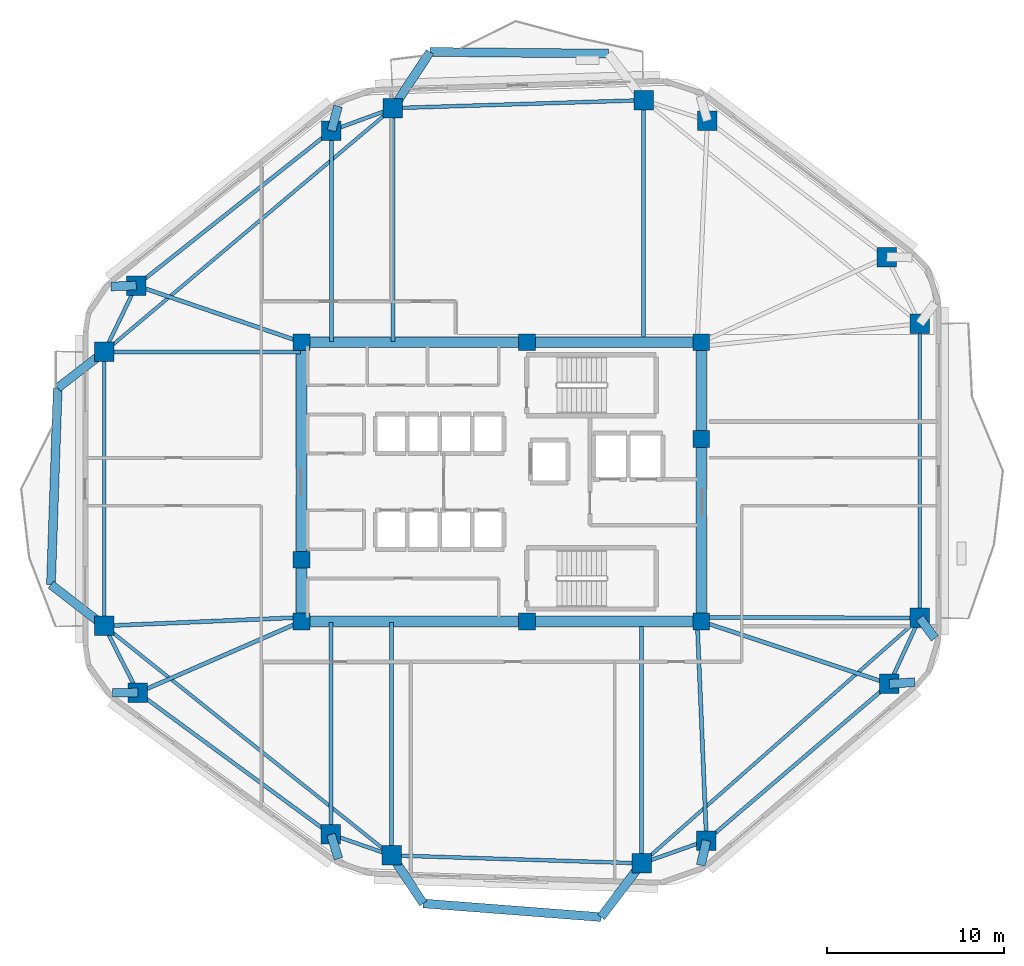
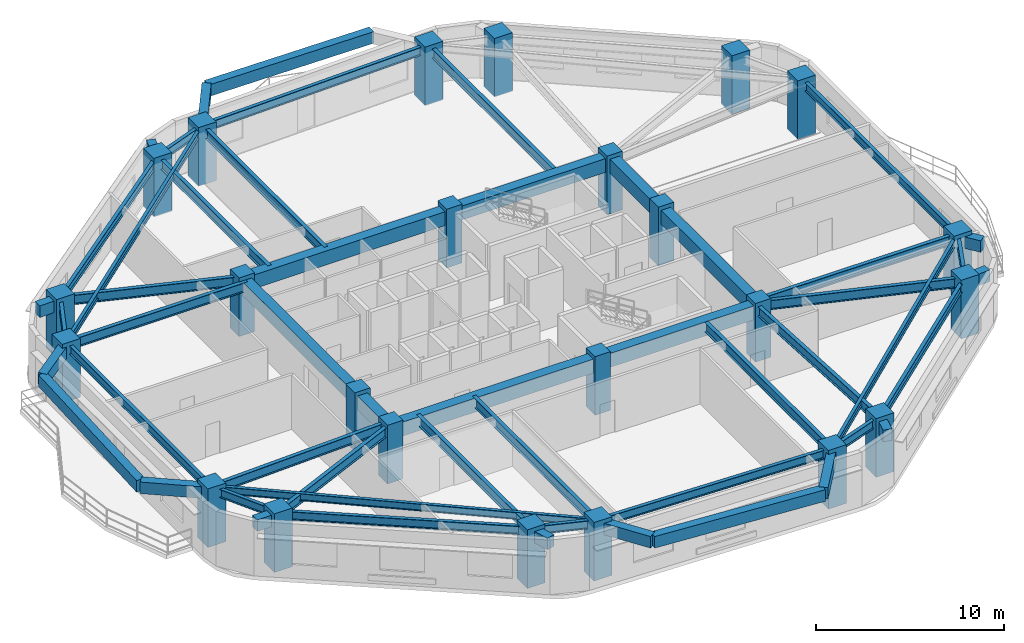
# One storey, part 1 of 8: 52 beams, 24 columns.
"""IFC4 building model written with IfcOpenShell, lengths in metres."""

import ifcopenshell
import ifcopenshell.guid

model = None  # the IFC model being written
_history = None  # IfcOwnerHistory: only IFC2X3 demands one
_inside = {}  # id of a spatial element -> (the spatial element, [elements in it])
_under = {}  # id of a project, library or spatial element -> (it, [spatial elements below it])
_declared = {}  # id of a project -> (the project, [libraries it declares])
_typed = {}  # id of a type object -> (the type object, [elements of that type])
_made_of = {}  # id of a material, layer set ... -> (it, [elements and type objects made of it])


def new_model(schema):
    """Start an empty IFC model of exactly this schema.

    Asked for "IFC4X3", IfcOpenShell would pick the latest addendum, in which some entities
    have other attributes; the version numbers below select the first issue.
    IFC2X3 requires an IfcOwnerHistory on every rooted entity: one is made here for all.
    """
    global model, _history
    if schema == "IFC4X3":
        model = ifcopenshell.file(schema_version=(4, 3, 0, 0))
    else:
        model = ifcopenshell.file(schema=schema)
    _inside.clear()
    _under.clear()
    _declared.clear()
    _typed.clear()
    _made_of.clear()
    _history = None
    if model.schema == "IFC2X3":
        org = make("IfcOrganization", Name="unknown")
        user = make(
            "IfcPersonAndOrganization",
            ThePerson=make("IfcPerson", FamilyName="unknown"),
            TheOrganization=org,
        )
        app = make(
            "IfcApplication",
            ApplicationDeveloper=org,
            Version="unknown",
            ApplicationFullName="unknown",
            ApplicationIdentifier="unknown",
        )
        _history = make(
            "IfcOwnerHistory",
            OwningUser=user,
            OwningApplication=app,
            ChangeAction="ADDED",
            CreationDate=0,
        )
    return model


def make(cls, **values):
    """One entity of the class cls with the attributes given. An attribute that is None is left unset."""
    return model.create_entity(
        cls, **{name: value for name, value in values.items() if value is not None}
    )


def rooted(cls, **values):
    """An entity with a GlobalId (a new one), such as an element, a storey or a relation."""
    return make(cls, GlobalId=ifcopenshell.guid.new(), OwnerHistory=_history, **values)


def si_unit(unit_type, name, prefix=None):
    """IfcSIUnit, for example si_unit("LENGTHUNIT", "METRE", prefix="MILLI")."""
    return make("IfcSIUnit", UnitType=unit_type, Prefix=prefix, Name=name)


def assignment(units):
    """IfcUnitAssignment: the units of a project."""
    return None if units is None else make("IfcUnitAssignment", Units=units)


def point(xyz):
    """IfcCartesianPoint."""
    return None if xyz is None else make("IfcCartesianPoint", Coordinates=xyz)


def direction(xyz):
    """IfcDirection."""
    return None if xyz is None else make("IfcDirection", DirectionRatios=xyz)


def frame(location, z_axis=None, x_axis=None):
    """IfcAxis2Placement3D, a coordinate frame: its origin and axes. An axis left out is left unset."""
    return make(
        "IfcAxis2Placement3D",
        Location=point(location),
        Axis=direction(z_axis),
        RefDirection=direction(x_axis),
    )


def frame_2d(location, x_axis=None):
    """IfcAxis2Placement2D, a coordinate frame in the plane: its origin and x axis."""
    return make(
        "IfcAxis2Placement2D", Location=point(location), RefDirection=direction(x_axis)
    )


def origin():
    """The frame at (0, 0, 0) with its axes left unset."""
    return frame((0.0, 0.0, 0.0))


def origin_2d():
    """The frame at (0, 0) in the plane with its x axis left unset."""
    return frame_2d((0.0, 0.0))


def place(relative_to, where):
    """IfcLocalPlacement: puts the frame where relative to a parent placement (None: the world)."""
    return make(
        "IfcLocalPlacement", PlacementRelTo=relative_to, RelativePlacement=where
    )


def context(
    kind, dimensions, precision=None, world=None, true_north=None, identifier=None
):
    """IfcGeometricRepresentationContext, for example the 3D "Model" context."""
    return make(
        "IfcGeometricRepresentationContext",
        ContextIdentifier=identifier,
        ContextType=kind,
        CoordinateSpaceDimension=dimensions,
        Precision=precision,
        WorldCoordinateSystem=world,
        TrueNorth=true_north,
    )


def subcontext(parent, identifier, kind, view, scale=None):
    """IfcGeometricRepresentationSubContext, for example "Body" below "Model"."""
    return make(
        "IfcGeometricRepresentationSubContext",
        ContextIdentifier=identifier,
        ContextType=kind,
        ParentContext=parent,
        TargetScale=scale,
        TargetView=view,
    )


def project(units=None, contexts=None):
    """IfcProject with its units and contexts."""
    return rooted(
        "IfcProject",
        Name="project",
        RepresentationContexts=contexts,
        UnitsInContext=assignment(units),
    )


def spatial(cls, under=None, at=None, **own):
    """A site, building, storey or space (cls), placed at a placement, below another one or the project."""
    s = rooted(cls, ObjectPlacement=at, **own)
    if under is not None:
        _under.setdefault(under.id(), (under, []))[1].append(s)
    return s


def profile(cls, at=None, kind="AREA", **sizes):
    """A parametric profile (cls). Its sizes go by their IFC names, for example OverallWidth=200.0."""
    return make(cls, ProfileType=kind, Position=at, **sizes)


def rectangle(**sizes):
    """IfcRectangleProfileDef."""
    return profile("IfcRectangleProfileDef", **sizes)


def i_section(**sizes):
    """IfcIShapeProfileDef."""
    return profile("IfcIShapeProfileDef", **sizes)


def extrude(swept, where, along, depth):
    """IfcExtrudedAreaSolid: the profile swept, set in the frame where, extruded along a direction by depth."""
    return make(
        "IfcExtrudedAreaSolid",
        SweptArea=swept,
        Position=where,
        ExtrudedDirection=direction(along),
        Depth=depth,
    )


def shape(context_of_items, identifier, shape_type, items):
    """IfcShapeRepresentation: the items that make up one representation, for example the "Body"."""
    return make(
        "IfcShapeRepresentation",
        ContextOfItems=context_of_items,
        RepresentationIdentifier=identifier,
        RepresentationType=shape_type,
        Items=items,
    )


def material(Name=None, Category=None):
    """IfcMaterial."""
    return make("IfcMaterial", Name=Name, Category=Category)


def material_profile(
    of_material, cross_section, Name=None, Category=None, Priority=None
):
    """IfcMaterialProfile: a cross section and its material."""
    return make(
        "IfcMaterialProfile",
        Name=Name,
        Material=of_material,
        Profile=cross_section,
        Priority=Priority,
        Category=Category,
    )


def profile_set(profiles, Name=None, composite=None):
    """IfcMaterialProfileSet."""
    return make(
        "IfcMaterialProfileSet",
        Name=Name,
        MaterialProfiles=profiles,
        CompositeProfile=composite,
    )


def made_of(thing, what):
    """Note that an element or type object is made of a material, layer set ...; save() writes the relation."""
    if what is not None:
        _made_of.setdefault(what.id(), (what, []))[1].append(thing)
    return thing


def type_object(cls, material=None, **own):
    """A type object (cls), such as IfcWallType, which elements share."""
    return made_of(rooted(cls, **own), material)


def element(
    cls,
    number,
    at=None,
    inside=None,
    cuts=None,
    type_object=None,
    material=None,
    context=None,
    identifier="Body",
    shape_type=None,
    held_by="IfcProductDefinitionShape",
    body=None,
    shapes=None,
    **own,
):
    """One element of the class cls, such as IfcWall. Its Tag is "e" and its number.

    at: its placement. inside: the storey or other place that contains it. cuts: it is an
    opening in that element (IfcRelVoidsElement). A single representation is given by context,
    identifier, shape_type and body (its items); several are given by shapes. held_by: the class
    of the entity that holds the representations. save() writes the other relations.
    """
    e = rooted(cls, Tag="e%d" % number, ObjectPlacement=at, **own)
    if body is not None:
        shapes = [shape(context, identifier, shape_type, body)]
    if shapes is not None:
        e.Representation = make(held_by, Representations=shapes)
    if inside is not None:
        _inside.setdefault(inside.id(), (inside, []))[1].append(e)
    if cuts is not None:
        rooted(
            "IfcRelVoidsElement", RelatingBuildingElement=cuts, RelatedOpeningElement=e
        )
    if type_object is not None:
        _typed.setdefault(type_object.id(), (type_object, []))[1].append(e)
    return made_of(e, material)


def aggregate(whole, parts):
    """IfcRelAggregates: a whole, such as a stair, and the parts it consists of."""
    return rooted("IfcRelAggregates", RelatingObject=whole, RelatedObjects=parts)


def save(model, path):
    """Write the relations noted so far, then the file.

    IfcRelAggregates (storeys below a building ...), IfcRelContainedInSpatialStructure (elements
    in a storey), IfcRelDefinesByType, IfcRelAssociatesMaterial and IfcRelDeclares: one each for
    every whole, place, type object, material and project.
    """
    for whole, parts in _under.values():
        aggregate(whole, parts)
    for where, things in _inside.values():
        rooted(
            "IfcRelContainedInSpatialStructure",
            RelatedElements=things,
            RelatingStructure=where,
        )
    for kind, things in _typed.values():
        rooted("IfcRelDefinesByType", RelatedObjects=things, RelatingType=kind)
    for what, things in _made_of.values():
        rooted("IfcRelAssociatesMaterial", RelatedObjects=things, RelatingMaterial=what)
    for by, libraries in _declared.values():
        rooted("IfcRelDeclares", RelatingContext=by, RelatedDefinitions=libraries)
    model.write(path)


model = new_model("IFC4")

# Units and contexts
model_context = context("Model", 3, precision=1e-05, world=origin(), true_north=direction((0.0, 1.0)))
body_context = subcontext(model_context, "Body", "Model", "MODEL_VIEW")
ifc_project = project(units=[si_unit("LENGTHUNIT", "METRE"), si_unit("AREAUNIT", "SQUARE_METRE"), si_unit("VOLUMEUNIT", "CUBIC_METRE"), si_unit("PLANEANGLEUNIT", "RADIAN"), si_unit("MASSUNIT", "GRAM", prefix="KILO")], contexts=[model_context])

# Site, building, storey
site_placement = place(None, origin())
site = spatial("IfcSite", under=ifc_project, at=site_placement, CompositionType="ELEMENT")
building_placement = place(site_placement, origin())
building = spatial("IfcBuilding", under=site, at=building_placement, Name="Zulverin Broadcast Headquarters", CompositionType="ELEMENT")
storey_placement = place(building_placement, frame((0.0, 0.0, 151.60009765625)))
storey = spatial("IfcBuildingStorey", under=building, at=storey_placement, Name="L38", CompositionType="ELEMENT", Elevation=151.60009765625)

# Columns
ifc_material_1 = material(Name="Concrete C60/75", Category="concrete")
ifc_material_profile_1 = material_profile(ifc_material_1, rectangle(XDim=1.10009765625, YDim=1.10009765625, at=origin_2d()), Name="Concrete C60/75", Category="concrete")
ifc_profile_set_1 = profile_set([ifc_material_profile_1], Name="Concrete C60/75")
column_type_1 = type_object("IfcColumnType", Name="COL-RC-1100", PredefinedType="COLUMN", material=ifc_profile_set_1)
for number, where, z_axis, x_axis, name in (
    (1, (30.80859375, 4.12744140625, 0.0), (0.0, 0.0, 1.0), (1.0, 0.0, 0.0), "L38 Perimeter Column T01"),
    (2, (44.909912109375, 3.68017578125, 0.0), (0.0, 0.0, 1.0), (1.0, 0.0, 0.0), "L38 Perimeter Column T02"),
    (3, (48.569580078125, 4.967041015625, 0.0), (0.0, 0.0, 1.0), (1.0, 0.0, 0.0), "L38 Perimeter Column T03"),
    (4, (58.886962890625, 13.798095703125, 0.0), (0.0, 0.0, 1.0), (1.0, 0.0, 0.0), "L38 Perimeter Column T04"),
    (5, (60.60009765625, 17.519287109375, 0.0), (0.0, 0.0, 1.0), (1.0, 0.0, 0.0), "L38 Perimeter Column T05"),
    (6, (60.60009765625, 34.12158203125, 0.0), (0.0, 0.0, 1.0), (1.0, 0.0, 0.0), "L38 Perimeter Column T06"),
    (7, (58.738037109375, 37.877685546875, 0.0), (0.0, 0.0, 1.0), (1.0, 0.0, 0.0), "L38 Perimeter Column T07"),
    (8, (48.62158203125, 45.574951171875, 0.0), (0.0, 0.0, 1.0), (1.0, 0.0, 0.0), "L38 Perimeter Column T08"),
    (9, (45.027587890625, 46.7236328125, 0.0), (0.0, 0.0, 1.0), (1.0, 0.0, 0.0), "L38 Perimeter Column T09"),
    (10, (30.882080078125, 46.27490234375, 0.0), (0.0, 0.0, 1.0), (1.0, 0.0, 0.0), "L38 Perimeter Column T10"),
    (11, (27.416259765625, 45.00439453125, 0.0), (0.0, 0.0, 1.0), (1.0, 0.0, 0.0), "L38 Perimeter Column T11"),
    (12, (16.40869140625, 36.26806640625, 0.0), (0.0, 0.0, 1.0), (1.0, 0.0, 0.0), "L38 Perimeter Column T12"),
    (13, (14.60009765625, 32.523193359375, 0.0), (0.0, 0.0, 1.0), (1.0, 0.0, 0.0), "L38 Perimeter Column T13"),
    (14, (14.60009765625, 17.072021484375, 0.0), (0.0, 0.0, 1.0), (1.0, 0.0, 0.0), "L38 Perimeter Column T14"),
    (15, (16.50537109375, 13.306884765625, 0.0), (0.0, 0.0, 1.0), (1.0, 0.0, 0.0), "L38 Perimeter Column T15"),
    (16, (27.38720703125, 5.309814453125, 0.0), (0.0, 0.0, 1.0), (1.0, 0.0, 0.0), "L38 Perimeter Column T16"),
):
    element("IfcColumn", number, at=place(storey_placement, frame(where, z_axis=z_axis, x_axis=x_axis)), inside=storey, type_object=column_type_1, Name=name, PredefinedType="COLUMN", context=body_context, shape_type="SweptSolid", body=[
        extrude(rectangle(XDim=1.10009765625, YDim=1.10009765625, at=origin_2d()), origin(), (0.0, 0.0, 1.0), 3.7998046875),
    ])
ifc_material_2 = material(Name="Concrete C50/60", Category="concrete")
ifc_material_profile_2 = material_profile(ifc_material_2, rectangle(XDim=0.949951171875, YDim=0.949951171875, at=origin_2d()), Name="Concrete C50/60", Category="concrete")
ifc_profile_set_2 = profile_set([ifc_material_profile_2], Name="Concrete C50/60")
column_type_2 = type_object("IfcColumnType", Name="PIL-RC-950", PredefinedType="PILASTER", material=ifc_profile_set_2)
for number, where, z_axis, x_axis, name in (
    (17, (25.72509765625, 17.324951171875, 0.0), (0.0, 0.0, 1.0), (1.0, 0.0, 0.0), "L38 Core Pilaster K01"),
    (18, (38.449951171875, 17.324951171875, 0.0), (0.0, 0.0, 1.0), (1.0, 0.0, 0.0), "L38 Core Pilaster K02"),
    (19, (48.27490234375, 17.324951171875, 0.0), (0.0, 0.0, 1.0), (1.0, 0.0, 0.0), "L38 Core Pilaster K03"),
    (20, (48.27490234375, 27.6201171875, 0.0), (0.0, 0.0, 1.0), (1.0, 0.0, 0.0), "L38 Core Pilaster K04"),
    (21, (48.27490234375, 33.074951171875, 0.0), (0.0, 0.0, 1.0), (1.0, 0.0, 0.0), "L38 Core Pilaster K05"),
    (22, (38.449951171875, 33.074951171875, 0.0), (0.0, 0.0, 1.0), (1.0, 0.0, 0.0), "L38 Core Pilaster K06"),
    (23, (25.72509765625, 33.074951171875, 0.0), (0.0, 0.0, 1.0), (1.0, 0.0, 0.0), "L38 Core Pilaster K07"),
    (24, (25.72509765625, 20.800048828125, 0.0), (0.0, 0.0, 1.0), (1.0, 0.0, 0.0), "L38 Core Pilaster K08"),
):
    element("IfcColumn", number, at=place(storey_placement, frame(where, z_axis=z_axis, x_axis=x_axis)), inside=storey, type_object=column_type_2, Name=name, PredefinedType="PILASTER", context=body_context, shape_type="SweptSolid", body=[
        extrude(rectangle(XDim=0.949951171875, YDim=0.949951171875, at=origin_2d()), origin(), (0.0, 0.0, 1.0), 3.7998046875),
    ])

# Beams
ifc_material_profile_3 = material_profile(ifc_material_1, rectangle(XDim=0.60009765625, YDim=0.89990234375, at=origin_2d()), Name="Concrete C60/75", Category="concrete")
ifc_profile_set_3 = profile_set([ifc_material_profile_3], Name="Concrete C60/75")
beam_type_1 = type_object("IfcBeamType", Name="BM-CB-600x900", PredefinedType="LINTEL", material=ifc_profile_set_3)
beam_1_placement = place(storey_placement, frame((25.72509765625, 17.324951171875, 3.08984375), z_axis=(1.0, 0.0, 0.0), x_axis=(0.0, 1.0, 0.0)))
element("IfcBeam", 25, at=beam_1_placement, inside=storey, type_object=beam_type_1, Name="L38 Core Coupling Girder K01-K02", PredefinedType="LINTEL", context=body_context, shape_type="SweptSolid", body=[
    extrude(rectangle(XDim=0.60009765625, YDim=0.89990234375, at=origin_2d()), origin(), (0.0, 0.0, 1.0), 12.724853515625),
])
beam_2_placement = place(storey_placement, frame((38.449951171875, 17.324951171875, 3.08984375), z_axis=(1.0, 0.0, 0.0), x_axis=(0.0, 1.0, 0.0)))
element("IfcBeam", 26, at=beam_2_placement, inside=storey, type_object=beam_type_1, Name="L38 Core Coupling Girder K02-K03", PredefinedType="LINTEL", context=body_context, shape_type="SweptSolid", body=[
    extrude(rectangle(XDim=0.60009765625, YDim=0.89990234375, at=origin_2d()), origin(), (0.0, 0.0, 1.0), 9.824951171875),
])
beam_3_placement = place(storey_placement, frame((48.27490234375, 17.324951171875, 3.08984375), z_axis=(0.0, 1.0, 0.0), x_axis=(-1.0, 0.0, 0.0)))
element("IfcBeam", 27, at=beam_3_placement, inside=storey, type_object=beam_type_1, Name="L38 Core Coupling Girder K03-K04", PredefinedType="LINTEL", context=body_context, shape_type="SweptSolid", body=[
    extrude(rectangle(XDim=0.60009765625, YDim=0.89990234375, at=origin_2d()), origin(), (0.0, 0.0, 1.0), 10.295166015625),
])
beam_4_placement = place(storey_placement, frame((48.27490234375, 27.6201171875, 3.08984375), z_axis=(0.0, 1.0, 0.0), x_axis=(-1.0, 0.0, 0.0)))
element("IfcBeam", 28, at=beam_4_placement, inside=storey, type_object=beam_type_1, Name="L38 Core Coupling Girder K04-K05", PredefinedType="LINTEL", context=body_context, shape_type="SweptSolid", body=[
    extrude(rectangle(XDim=0.60009765625, YDim=0.89990234375, at=origin_2d()), origin(), (0.0, 0.0, 1.0), 5.454833984375),
])
beam_5_placement = place(storey_placement, frame((48.27490234375, 33.074951171875, 3.08984375), z_axis=(-1.0, 0.0, 0.0), x_axis=(0.0, -1.0, 0.0)))
element("IfcBeam", 29, at=beam_5_placement, inside=storey, type_object=beam_type_1, Name="L38 Core Coupling Girder K05-K06", PredefinedType="LINTEL", context=body_context, shape_type="SweptSolid", body=[
    extrude(rectangle(XDim=0.60009765625, YDim=0.89990234375, at=origin_2d()), origin(), (0.0, 0.0, 1.0), 9.824951171875),
])
beam_6_placement = place(storey_placement, frame((38.449951171875, 33.074951171875, 3.08984375), z_axis=(-1.0, 0.0, 0.0), x_axis=(0.0, -1.0, 0.0)))
element("IfcBeam", 30, at=beam_6_placement, inside=storey, type_object=beam_type_1, Name="L38 Core Coupling Girder K06-K07", PredefinedType="LINTEL", context=body_context, shape_type="SweptSolid", body=[
    extrude(rectangle(XDim=0.60009765625, YDim=0.89990234375, at=origin_2d()), origin(), (0.0, 0.0, 1.0), 12.724853515625),
])
beam_7_placement = place(storey_placement, frame((25.72509765625, 33.074951171875, 3.08984375), z_axis=(0.0, -1.0, 0.0), x_axis=(1.0, 0.0, 0.0)))
element("IfcBeam", 31, at=beam_7_placement, inside=storey, type_object=beam_type_1, Name="L38 Core Coupling Girder K07-K08", PredefinedType="LINTEL", context=body_context, shape_type="SweptSolid", body=[
    extrude(rectangle(XDim=0.60009765625, YDim=0.89990234375, at=origin_2d()), origin(), (0.0, 0.0, 1.0), 12.27490234375),
])
beam_8_placement = place(storey_placement, frame((25.72509765625, 20.800048828125, 3.08984375), z_axis=(0.0, -1.0, 0.0), x_axis=(1.0, 0.0, 0.0)))
element("IfcBeam", 32, at=beam_8_placement, inside=storey, type_object=beam_type_1, Name="L38 Core Coupling Girder K08-K01", PredefinedType="LINTEL", context=body_context, shape_type="SweptSolid", body=[
    extrude(rectangle(XDim=0.60009765625, YDim=0.89990234375, at=origin_2d()), origin(), (0.0, 0.0, 1.0), 3.47509765625),
])
ifc_material_3 = material(Name="Concrete C40/50", Category="concrete")
ifc_material_profile_4 = material_profile(ifc_material_3, rectangle(XDim=0.5, YDim=0.75, at=origin_2d()), Name="Concrete C40/50", Category="concrete")
ifc_profile_set_4 = profile_set([ifc_material_profile_4], Name="Concrete C40/50")
beam_type_2 = type_object("IfcBeamType", Name="BM-RC-500x750", PredefinedType="BEAM", material=ifc_profile_set_4)
for number, where, z_axis, x_axis, name in (
    (33, (48.569580078125, 4.967041015625, 3.164794921875), (-0.224497908308, -0.974474570815, 0.0), (0.974474570815, -0.224497908308, 0.0), "L39 Plate Overhang Back-Spanned Beam OVR-03"),
    (34, (58.886962890625, 13.798095703125, 3.164794921875), (0.997450894981, 0.071356233801, 0.0), (-0.071356233801, 0.997450894981, 0.0), "L39 Plate Overhang Back-Spanned Beam OVR-04"),
):
    element("IfcBeam", number, at=place(storey_placement, frame(where, z_axis=z_axis, x_axis=x_axis)), inside=storey, type_object=beam_type_2, Name=name, PredefinedType="BEAM", context=body_context, shape_type="SweptSolid", body=[
        extrude(rectangle(XDim=0.5, YDim=0.75, at=origin_2d()), origin(), (0.0, 0.0, 1.0), 1.43017578125),
    ])
beam_9_placement = place(storey_placement, frame((60.60009765625, 17.519287109375, 3.164794921875), z_axis=(0.594357454608, -0.80420097995, 0.0), x_axis=(0.80420097995, 0.594357454608, 0.0)))
element("IfcBeam", 35, at=beam_9_placement, inside=storey, type_object=beam_type_2, Name="L39 Plate Overhang Back-Spanned Beam OVR-05", PredefinedType="BEAM", context=body_context, shape_type="SweptSolid", body=[
    extrude(rectangle(XDim=0.5, YDim=0.75, at=origin_2d()), origin(), (0.0, 0.0, 1.0), 1.429931640625),
])
beam_10_placement = place(storey_placement, frame((27.416259765625, 45.00439453125, 3.164794921875), z_axis=(0.260328526912, 0.965520097189, 0.0), x_axis=(-0.965520097189, 0.260328526912, 0.0)))
element("IfcBeam", 36, at=beam_10_placement, inside=storey, type_object=beam_type_2, Name="L39 Plate Overhang Back-Spanned Beam OVR-11", PredefinedType="BEAM", context=body_context, shape_type="SweptSolid", body=[
    extrude(rectangle(XDim=0.5, YDim=0.75, at=origin_2d()), origin(), (0.0, 0.0, 1.0), 1.43017578125),
])
for number, where, z_axis, x_axis, name in (
    (37, (16.40869140625, 36.26806640625, 3.164794921875), (-0.999411057508, -0.034315275463, 0.0), (0.034315275463, -0.999411057508, 0.0), "L39 Plate Overhang Back-Spanned Beam OVR-12"),
    (38, (16.50537109375, 13.306884765625, 3.164794921875), (-0.999996268726, -0.002731763753, 0.0), (0.002731763753, -0.999996268726, 0.0), "L39 Plate Overhang Back-Spanned Beam OVR-15"),
):
    element("IfcBeam", number, at=place(storey_placement, frame(where, z_axis=z_axis, x_axis=x_axis)), inside=storey, type_object=beam_type_2, Name=name, PredefinedType="BEAM", context=body_context, shape_type="SweptSolid", body=[
        extrude(rectangle(XDim=0.5, YDim=0.75, at=origin_2d()), origin(), (0.0, 0.0, 1.0), 1.429931640625),
    ])
beam_11_placement = place(storey_placement, frame((27.38720703125, 5.309814453125, 3.164794921875), z_axis=(0.296184429368, -0.955130767905, 0.0), x_axis=(0.955130767905, 0.296184429368, 0.0)))
element("IfcBeam", 39, at=beam_11_placement, inside=storey, type_object=beam_type_2, Name="L39 Plate Overhang Back-Spanned Beam OVR-16", PredefinedType="BEAM", context=body_context, shape_type="SweptSolid", body=[
    extrude(rectangle(XDim=0.5, YDim=0.75, at=origin_2d()), origin(), (0.0, 0.0, 1.0), 1.43017578125),
])
beam_12_placement = place(storey_placement, frame((30.882080078125, 46.27490234375, 3.164794921875), z_axis=(0.551998960416, 0.833844798329, 0.0), x_axis=(-0.833844798329, 0.551998960416, 0.0)))
element("IfcBeam", 40, at=beam_12_placement, inside=storey, type_object=beam_type_2, Name="L39 Balcony Column-Framed Cantilever BAL_N-2", PredefinedType="BEAM", context=body_context, shape_type="SweptSolid", body=[
    extrude(rectangle(XDim=0.5, YDim=0.75, at=origin_2d()), origin(), (0.0, 0.0, 1.0), 3.800048828125),
])
beam_13_placement = place(storey_placement, frame((43.0380859375, 49.3505859375, 3.164794921875), z_axis=(-0.999957241865, 0.009247401858, 0.0), x_axis=(-0.009247401858, -0.999957241865, 0.0)))
element("IfcBeam", 41, at=beam_13_placement, inside=storey, type_object=beam_type_2, Name="L39 Balcony Outer Edge Trimmer Beam BAL_N", PredefinedType="BEAM", context=body_context, shape_type="SweptSolid", body=[
    extrude(rectangle(XDim=0.5, YDim=0.75, at=origin_2d()), origin(), (0.0, 0.0, 1.0), 10.058837890625),
])
beam_14_placement = place(storey_placement, frame((14.60009765625, 32.523193359375, 3.164794921875), z_axis=(-0.790639723591, -0.612281656985, 0.0), x_axis=(0.612281656985, -0.790639723591, 0.0)))
element("IfcBeam", 42, at=beam_14_placement, inside=storey, type_object=beam_type_2, Name="L39 Balcony Column-Framed Cantilever BAL_W-1", PredefinedType="BEAM", context=body_context, shape_type="SweptSolid", body=[
    extrude(rectangle(XDim=0.5, YDim=0.75, at=origin_2d()), origin(), (0.0, 0.0, 1.0), 3.31396484375),
])
beam_15_placement = place(storey_placement, frame((14.60009765625, 17.072021484375, 3.164794921875), z_axis=(-0.790637422513, 0.612284628356, 0.0), x_axis=(-0.612284628356, -0.790637422513, 0.0)))
element("IfcBeam", 43, at=beam_15_placement, inside=storey, type_object=beam_type_2, Name="L39 Balcony Column-Framed Cantilever BAL_W-2", PredefinedType="BEAM", context=body_context, shape_type="SweptSolid", body=[
    extrude(rectangle(XDim=0.5, YDim=0.75, at=origin_2d()), origin(), (0.0, 0.0, 1.0), 3.800048828125),
])
beam_16_placement = place(storey_placement, frame((11.97998046875, 30.494140625, 3.164794921875), z_axis=(-0.034612996338, -0.999400790716, 0.0), x_axis=(0.999400790716, -0.034612996338, 0.0)))
element("IfcBeam", 44, at=beam_16_placement, inside=storey, type_object=beam_type_2, Name="L39 Balcony Outer Edge Trimmer Beam BAL_W", PredefinedType="BEAM", context=body_context, shape_type="SweptSolid", body=[
    extrude(rectangle(XDim=0.5, YDim=0.75, at=origin_2d()), origin(), (0.0, 0.0, 1.0), 11.10205078125),
])
beam_17_placement = place(storey_placement, frame((30.80859375, 4.12744140625, 3.164794921875), z_axis=(0.550753120717, -0.834668197562, 0.0), x_axis=(0.834668197562, 0.550753120717, 0.0)))
element("IfcBeam", 45, at=beam_17_placement, inside=storey, type_object=beam_type_2, Name="L39 Balcony Column-Framed Cantilever BAL_S-1", PredefinedType="BEAM", context=body_context, shape_type="SweptSolid", body=[
    extrude(rectangle(XDim=0.5, YDim=0.75, at=origin_2d()), origin(), (0.0, 0.0, 1.0), 3.245361328125),
])
beam_18_placement = place(storey_placement, frame((44.909912109375, 3.68017578125, 3.164794921875), z_axis=(-0.602566759329, -0.798068481116, 0.0), x_axis=(0.798068481116, -0.602566759329, 0.0)))
element("IfcBeam", 46, at=beam_18_placement, inside=storey, type_object=beam_type_2, Name="L39 Balcony Column-Framed Cantilever BAL_S-2", PredefinedType="BEAM", context=body_context, shape_type="SweptSolid", body=[
    extrude(rectangle(XDim=0.5, YDim=0.75, at=origin_2d()), origin(), (0.0, 0.0, 1.0), 3.800048828125),
])
beam_19_placement = place(storey_placement, frame((32.595947265625, 1.418701171875, 3.164794921875), z_axis=(0.997053342641, -0.076711354621, 0.0), x_axis=(0.076711354621, 0.997053342641, 0.0)))
element("IfcBeam", 47, at=beam_19_placement, inside=storey, type_object=beam_type_2, Name="L39 Balcony Outer Edge Trimmer Beam BAL_S", PredefinedType="BEAM", context=body_context, shape_type="SweptSolid", body=[
    extrude(rectangle(XDim=0.5, YDim=0.75, at=origin_2d()), origin(), (0.0, 0.0, 1.0), 10.0537109375),
])
ifc_material_4 = material(Name="Structural steel S355JR", Category="steel")
ifc_material_profile_5 = material_profile(ifc_material_4, i_section(OverallWidth=0.19287109375, OverallDepth=0.46728515625, WebThickness=0.011474609375, FlangeThickness=0.01953125, at=origin_2d()), Name="Structural steel S355JR", Category="steel")
ifc_profile_set_5 = profile_set([ifc_material_profile_5], Name="Structural steel S355JR")
beam_type_3 = type_object("IfcBeamType", Name="BM-UB-457", PredefinedType="JOIST", material=ifc_profile_set_5)
beam_20_placement = place(storey_placement, frame((44.909912109375, 3.68017578125, 3.306396484375), z_axis=(0.74996043981, 0.661482682102, 0.0), x_axis=(-0.661482682102, 0.74996043981, 0.0)))
element("IfcBeam", 48, at=beam_20_placement, inside=storey, type_object=beam_type_3, Name="L38 Chordal Floor Joist J-01", PredefinedType="JOIST", context=body_context, shape_type="SweptSolid", body=[
    extrude(i_section(OverallWidth=0.19287109375, OverallDepth=0.46728515625, WebThickness=0.011474609375, FlangeThickness=0.01953125, at=origin_2d()), origin(), (0.0, 0.0, 1.0), 20.92138671875),
])
beam_21_placement = place(storey_placement, frame((30.882080078125, 46.27490234375, 3.306396484375), z_axis=(-0.763972566446, -0.645248725468, 0.0), x_axis=(0.645248725468, -0.763972566446, 0.0)))
element("IfcBeam", 49, at=beam_21_placement, inside=storey, type_object=beam_type_3, Name="L38 Chordal Floor Joist J-03", PredefinedType="JOIST", context=body_context, shape_type="SweptSolid", body=[
    extrude(i_section(OverallWidth=0.19287109375, OverallDepth=0.46728515625, WebThickness=0.011474609375, FlangeThickness=0.01953125, at=origin_2d()), origin(), (0.0, 0.0, 1.0), 21.312255859375),
])
beam_22_placement = place(storey_placement, frame((14.60009765625, 17.072021484375, 3.306396484375), z_axis=(0.781390996609, -0.624041753746, 0.0), x_axis=(0.624041753746, 0.781390996609, 0.0)))
element("IfcBeam", 50, at=beam_22_placement, inside=storey, type_object=beam_type_3, Name="L38 Chordal Floor Joist J-04", PredefinedType="JOIST", context=body_context, shape_type="SweptSolid", body=[
    extrude(i_section(OverallWidth=0.19287109375, OverallDepth=0.46728515625, WebThickness=0.011474609375, FlangeThickness=0.01953125, at=origin_2d()), origin(), (0.0, 0.0, 1.0), 20.7431640625),
])
ifc_material_profile_6 = material_profile(ifc_material_4, i_section(OverallWidth=0.2119140625, OverallDepth=0.54443359375, WebThickness=0.0126953125, FlangeThickness=0.021240234375, at=origin_2d()), Name="Structural steel S355JR", Category="steel")
ifc_profile_set_6 = profile_set([ifc_material_profile_6], Name="Structural steel S355JR")
beam_type_4 = type_object("IfcBeamType", Name="BM-UB-533", PredefinedType="SPANDREL", material=ifc_profile_set_6)
beam_23_placement = place(storey_placement, frame((30.80859375, 4.12744140625, 3.267578125), z_axis=(0.999497363437, -0.031702058031, 0.0), x_axis=(0.031702058031, 0.999497363437, 0.0)))
element("IfcBeam", 51, at=beam_23_placement, inside=storey, type_object=beam_type_4, Name="L38 Perimeter Spandrel Beam SP-01", PredefinedType="SPANDREL", context=body_context, shape_type="SweptSolid", body=[
    extrude(i_section(OverallWidth=0.2119140625, OverallDepth=0.54443359375, WebThickness=0.0126953125, FlangeThickness=0.021240234375, at=origin_2d()), origin(), (0.0, 0.0, 1.0), 14.1083984375),
])
beam_24_placement = place(storey_placement, frame((44.909912109375, 3.68017578125, 3.267578125), z_axis=(0.943376593622, 0.331723684121, 0.0), x_axis=(-0.331723684121, 0.943376593622, 0.0)))
element("IfcBeam", 52, at=beam_24_placement, inside=storey, type_object=beam_type_4, Name="L38 Perimeter Spandrel Beam SP-02", PredefinedType="SPANDREL", context=body_context, shape_type="SweptSolid", body=[
    extrude(i_section(OverallWidth=0.2119140625, OverallDepth=0.54443359375, WebThickness=0.0126953125, FlangeThickness=0.021240234375, at=origin_2d()), origin(), (0.0, 0.0, 1.0), 3.87939453125),
])
beam_25_placement = place(storey_placement, frame((48.569580078125, 4.967041015625, 3.267578125), z_axis=(0.759708170965, 0.650264173217, 0.0), x_axis=(-0.650264173217, 0.759708170965, 0.0)))
element("IfcBeam", 53, at=beam_25_placement, inside=storey, type_object=beam_type_4, Name="L38 Perimeter Spandrel Beam SP-03", PredefinedType="SPANDREL", context=body_context, shape_type="SweptSolid", body=[
    extrude(i_section(OverallWidth=0.2119140625, OverallDepth=0.54443359375, WebThickness=0.0126953125, FlangeThickness=0.021240234375, at=origin_2d()), origin(), (0.0, 0.0, 1.0), 13.580810546875),
])
beam_26_placement = place(storey_placement, frame((58.886962890625, 13.798095703125, 3.267578125), z_axis=(0.418184975358, 0.90836189175, 0.0), x_axis=(-0.90836189175, 0.418184975358, 0.0)))
element("IfcBeam", 54, at=beam_26_placement, inside=storey, type_object=beam_type_4, Name="L38 Perimeter Spandrel Beam SP-04", PredefinedType="SPANDREL", context=body_context, shape_type="SweptSolid", body=[
    extrude(i_section(OverallWidth=0.2119140625, OverallDepth=0.54443359375, WebThickness=0.0126953125, FlangeThickness=0.021240234375, at=origin_2d()), origin(), (0.0, 0.0, 1.0), 4.0966796875),
])
beam_27_placement = place(storey_placement, frame((60.60009765625, 17.519287109375, 3.267578125), z_axis=(0.0, 1.0, 0.0), x_axis=(-1.0, 0.0, 0.0)))
element("IfcBeam", 55, at=beam_27_placement, inside=storey, type_object=beam_type_4, Name="L38 Perimeter Spandrel Beam SP-05", PredefinedType="SPANDREL", context=body_context, shape_type="SweptSolid", body=[
    extrude(i_section(OverallWidth=0.2119140625, OverallDepth=0.54443359375, WebThickness=0.0126953125, FlangeThickness=0.021240234375, at=origin_2d()), origin(), (0.0, 0.0, 1.0), 16.602294921875),
])
beam_28_placement = place(storey_placement, frame((45.027587890625, 46.7236328125, 3.267578125), z_axis=(-0.999497221833, -0.031706522156, 0.0), x_axis=(0.031706522156, -0.999497221833, 0.0)))
element("IfcBeam", 56, at=beam_28_placement, inside=storey, type_object=beam_type_4, Name="L38 Perimeter Spandrel Beam SP-09", PredefinedType="SPANDREL", context=body_context, shape_type="SweptSolid", body=[
    extrude(i_section(OverallWidth=0.2119140625, OverallDepth=0.54443359375, WebThickness=0.0126953125, FlangeThickness=0.021240234375, at=origin_2d()), origin(), (0.0, 0.0, 1.0), 14.152587890625),
])
beam_29_placement = place(storey_placement, frame((30.882080078125, 46.27490234375, 3.267578125), z_axis=(-0.938901965426, -0.344184687805, 0.0), x_axis=(0.344184687805, -0.938901965426, 0.0)))
element("IfcBeam", 57, at=beam_29_placement, inside=storey, type_object=beam_type_4, Name="L38 Perimeter Spandrel Beam SP-10", PredefinedType="SPANDREL", context=body_context, shape_type="SweptSolid", body=[
    extrude(i_section(OverallWidth=0.2119140625, OverallDepth=0.54443359375, WebThickness=0.0126953125, FlangeThickness=0.021240234375, at=origin_2d()), origin(), (0.0, 0.0, 1.0), 3.69140625),
])
beam_30_placement = place(storey_placement, frame((27.416259765625, 45.00439453125, 3.267578125), z_axis=(-0.783283263401, -0.621664965457, 0.0), x_axis=(0.621664965457, -0.783283263401, 0.0)))
element("IfcBeam", 58, at=beam_30_placement, inside=storey, type_object=beam_type_4, Name="L38 Perimeter Spandrel Beam SP-11", PredefinedType="SPANDREL", context=body_context, shape_type="SweptSolid", body=[
    extrude(i_section(OverallWidth=0.2119140625, OverallDepth=0.54443359375, WebThickness=0.0126953125, FlangeThickness=0.021240234375, at=origin_2d()), origin(), (0.0, 0.0, 1.0), 14.05322265625),
])
beam_31_placement = place(storey_placement, frame((16.40869140625, 36.26806640625, 3.267578125), z_axis=(-0.434890248034, -0.900483465792, 0.0), x_axis=(0.900483465792, -0.434890248034, 0.0)))
element("IfcBeam", 59, at=beam_31_placement, inside=storey, type_object=beam_type_4, Name="L38 Perimeter Spandrel Beam SP-12", PredefinedType="SPANDREL", context=body_context, shape_type="SweptSolid", body=[
    extrude(i_section(OverallWidth=0.2119140625, OverallDepth=0.54443359375, WebThickness=0.0126953125, FlangeThickness=0.021240234375, at=origin_2d()), origin(), (0.0, 0.0, 1.0), 4.15869140625),
])
beam_32_placement = place(storey_placement, frame((14.60009765625, 32.523193359375, 3.267578125), z_axis=(0.0, -1.0, 0.0), x_axis=(1.0, 0.0, 0.0)))
element("IfcBeam", 60, at=beam_32_placement, inside=storey, type_object=beam_type_4, Name="L38 Perimeter Spandrel Beam SP-13", PredefinedType="SPANDREL", context=body_context, shape_type="SweptSolid", body=[
    extrude(i_section(OverallWidth=0.2119140625, OverallDepth=0.54443359375, WebThickness=0.0126953125, FlangeThickness=0.021240234375, at=origin_2d()), origin(), (0.0, 0.0, 1.0), 15.451171875),
])
beam_33_placement = place(storey_placement, frame((14.60009765625, 17.072021484375, 3.267578125), z_axis=(0.451512947895, -0.892264567201, 0.0), x_axis=(0.892264567201, 0.451512947895, 0.0)))
element("IfcBeam", 61, at=beam_33_placement, inside=storey, type_object=beam_type_4, Name="L38 Perimeter Spandrel Beam SP-14", PredefinedType="SPANDREL", context=body_context, shape_type="SweptSolid", body=[
    extrude(i_section(OverallWidth=0.2119140625, OverallDepth=0.54443359375, WebThickness=0.0126953125, FlangeThickness=0.021240234375, at=origin_2d()), origin(), (0.0, 0.0, 1.0), 4.2197265625),
])
beam_34_placement = place(storey_placement, frame((16.50537109375, 13.306884765625, 3.267578125), z_axis=(0.805802234061, -0.592184734338, 0.0), x_axis=(0.592184734338, 0.805802234061, 0.0)))
element("IfcBeam", 62, at=beam_34_placement, inside=storey, type_object=beam_type_4, Name="L38 Perimeter Spandrel Beam SP-15", PredefinedType="SPANDREL", context=body_context, shape_type="SweptSolid", body=[
    extrude(i_section(OverallWidth=0.2119140625, OverallDepth=0.54443359375, WebThickness=0.0126953125, FlangeThickness=0.021240234375, at=origin_2d()), origin(), (0.0, 0.0, 1.0), 13.50439453125),
])
beam_35_placement = place(storey_placement, frame((27.38720703125, 5.309814453125, 3.267578125), z_axis=(0.945152732867, -0.326628705956, 0.0), x_axis=(0.326628705956, 0.945152732867, 0.0)))
element("IfcBeam", 63, at=beam_35_placement, inside=storey, type_object=beam_type_4, Name="L38 Perimeter Spandrel Beam SP-16", PredefinedType="SPANDREL", context=body_context, shape_type="SweptSolid", body=[
    extrude(i_section(OverallWidth=0.2119140625, OverallDepth=0.54443359375, WebThickness=0.0126953125, FlangeThickness=0.021240234375, at=origin_2d()), origin(), (0.0, 0.0, 1.0), 3.619873046875),
])
ifc_material_profile_7 = material_profile(ifc_material_4, i_section(OverallWidth=0.230224609375, OverallDepth=0.6171875, WebThickness=0.01318359375, FlangeThickness=0.022216796875, at=origin_2d()), Name="Structural steel S355JR", Category="steel")
ifc_profile_set_7 = profile_set([ifc_material_profile_7], Name="Structural steel S355JR")
beam_type_5 = type_object("IfcBeamType", Name="BM-UB-610", PredefinedType="BEAM", material=ifc_profile_set_7)
beam_36_placement = place(storey_placement, frame((30.80859375, 17.27490234375, 3.231201171875), z_axis=(0.0, -1.0, 0.0), x_axis=(1.0, 0.0, 0.0)))
element("IfcBeam", 64, at=beam_36_placement, inside=storey, type_object=beam_type_5, Name="L38 Radial Primary Floor Beam RB-01", PredefinedType="BEAM", context=body_context, shape_type="SweptSolid", body=[
    extrude(i_section(OverallWidth=0.230224609375, OverallDepth=0.6171875, WebThickness=0.01318359375, FlangeThickness=0.022216796875, at=origin_2d()), origin(), (0.0, 0.0, 1.0), 13.1474609375),
])
beam_37_placement = place(storey_placement, frame((44.909912109375, 17.27490234375, 3.231201171875), z_axis=(0.0, -1.0, 0.0), x_axis=(1.0, 0.0, 0.0)))
element("IfcBeam", 65, at=beam_37_placement, inside=storey, type_object=beam_type_5, Name="L38 Radial Primary Floor Beam RB-02", PredefinedType="BEAM", context=body_context, shape_type="SweptSolid", body=[
    extrude(i_section(OverallWidth=0.230224609375, OverallDepth=0.6171875, WebThickness=0.01318359375, FlangeThickness=0.022216796875, at=origin_2d()), origin(), (0.0, 0.0, 1.0), 13.5947265625),
])
beam_38_placement = place(storey_placement, frame((48.050048828125, 17.27490234375, 3.231201171875), z_axis=(0.042173778549, -0.99911029041, 0.0), x_axis=(0.99911029041, 0.042173778549, 0.0)))
element("IfcBeam", 66, at=beam_38_placement, inside=storey, type_object=beam_type_5, Name="L38 Radial Primary Floor Beam RB-03", PredefinedType="BEAM", context=body_context, shape_type="SweptSolid", body=[
    extrude(i_section(OverallWidth=0.230224609375, OverallDepth=0.6171875, WebThickness=0.01318359375, FlangeThickness=0.022216796875, at=origin_2d()), origin(), (0.0, 0.0, 1.0), 12.31884765625),
])
beam_39_placement = place(storey_placement, frame((48.27490234375, 17.324951171875, 3.231201171875), z_axis=(0.948964552547, -0.315382748432, 0.0), x_axis=(0.315382748432, 0.948964552547, 0.0)))
element("IfcBeam", 67, at=beam_39_placement, inside=storey, type_object=beam_type_5, Name="L38 Radial Primary Floor Beam RB-04", PredefinedType="BEAM", context=body_context, shape_type="SweptSolid", body=[
    extrude(i_section(OverallWidth=0.230224609375, OverallDepth=0.6171875, WebThickness=0.01318359375, FlangeThickness=0.022216796875, at=origin_2d()), origin(), (0.0, 0.0, 1.0), 11.182861328125),
])
beam_40_placement = place(storey_placement, frame((48.324951171875, 17.550048828125, 3.231201171875), z_axis=(0.999996859956, -0.002506008559, 0.0), x_axis=(0.002506008559, 0.999996859956, 0.0)))
element("IfcBeam", 68, at=beam_40_placement, inside=storey, type_object=beam_type_5, Name="L38 Radial Primary Floor Beam RB-05", PredefinedType="BEAM", context=body_context, shape_type="SweptSolid", body=[
    extrude(i_section(OverallWidth=0.230224609375, OverallDepth=0.6171875, WebThickness=0.01318359375, FlangeThickness=0.022216796875, at=origin_2d()), origin(), (0.0, 0.0, 1.0), 12.275146484375),
])
beam_41_placement = place(storey_placement, frame((45.027587890625, 33.125, 3.231201171875), z_axis=(0.0, 1.0, 0.0), x_axis=(-1.0, 0.0, 0.0)))
element("IfcBeam", 69, at=beam_41_placement, inside=storey, type_object=beam_type_5, Name="L38 Radial Primary Floor Beam RB-09", PredefinedType="BEAM", context=body_context, shape_type="SweptSolid", body=[
    extrude(i_section(OverallWidth=0.230224609375, OverallDepth=0.6171875, WebThickness=0.01318359375, FlangeThickness=0.022216796875, at=origin_2d()), origin(), (0.0, 0.0, 1.0), 13.5986328125),
])
beam_42_placement = place(storey_placement, frame((30.882080078125, 33.125, 3.231201171875), z_axis=(0.0, 1.0, 0.0), x_axis=(-1.0, 0.0, 0.0)))
element("IfcBeam", 70, at=beam_42_placement, inside=storey, type_object=beam_type_5, Name="L38 Radial Primary Floor Beam RB-10", PredefinedType="BEAM", context=body_context, shape_type="SweptSolid", body=[
    extrude(i_section(OverallWidth=0.230224609375, OverallDepth=0.6171875, WebThickness=0.01318359375, FlangeThickness=0.022216796875, at=origin_2d()), origin(), (0.0, 0.0, 1.0), 13.14990234375),
])
beam_43_placement = place(storey_placement, frame((27.416259765625, 33.125, 3.231201171875), z_axis=(0.0, 1.0, 0.0), x_axis=(-1.0, 0.0, 0.0)))
element("IfcBeam", 71, at=beam_43_placement, inside=storey, type_object=beam_type_5, Name="L38 Radial Primary Floor Beam RB-11", PredefinedType="BEAM", context=body_context, shape_type="SweptSolid", body=[
    extrude(i_section(OverallWidth=0.230224609375, OverallDepth=0.6171875, WebThickness=0.01318359375, FlangeThickness=0.022216796875, at=origin_2d()), origin(), (0.0, 0.0, 1.0), 11.87939453125),
])
beam_44_placement = place(storey_placement, frame((25.72509765625, 33.074951171875, 3.231201171875), z_axis=(-0.945979621685, 0.324226086793, 0.0), x_axis=(-0.324226086793, -0.945979621685, 0.0)))
element("IfcBeam", 72, at=beam_44_placement, inside=storey, type_object=beam_type_5, Name="L38 Radial Primary Floor Beam RB-12", PredefinedType="BEAM", context=body_context, shape_type="SweptSolid", body=[
    extrude(i_section(OverallWidth=0.230224609375, OverallDepth=0.6171875, WebThickness=0.01318359375, FlangeThickness=0.022216796875, at=origin_2d()), origin(), (0.0, 0.0, 1.0), 9.848388671875),
])
beam_45_placement = place(storey_placement, frame((25.675048828125, 32.523193359375, 3.231201171875), z_axis=(-1.0, 0.0, 0.0), x_axis=(0.0, -1.0, 0.0)))
element("IfcBeam", 73, at=beam_45_placement, inside=storey, type_object=beam_type_5, Name="L38 Radial Primary Floor Beam RB-13", PredefinedType="BEAM", context=body_context, shape_type="SweptSolid", body=[
    extrude(i_section(OverallWidth=0.230224609375, OverallDepth=0.6171875, WebThickness=0.01318359375, FlangeThickness=0.022216796875, at=origin_2d()), origin(), (0.0, 0.0, 1.0), 11.074951171875),
])
beam_46_placement = place(storey_placement, frame((25.675048828125, 17.550048828125, 3.231201171875), z_axis=(-0.999069780306, -0.043122779134, 0.0), x_axis=(0.043122779134, -0.999069780306, 0.0)))
element("IfcBeam", 74, at=beam_46_placement, inside=storey, type_object=beam_type_5, Name="L38 Radial Primary Floor Beam RB-14", PredefinedType="BEAM", context=body_context, shape_type="SweptSolid", body=[
    extrude(i_section(OverallWidth=0.230224609375, OverallDepth=0.6171875, WebThickness=0.01318359375, FlangeThickness=0.022216796875, at=origin_2d()), origin(), (0.0, 0.0, 1.0), 11.085205078125),
])
beam_47_placement = place(storey_placement, frame((25.72509765625, 17.324951171875, 3.231201171875), z_axis=(-0.916724690104, -0.39951951461, 0.0), x_axis=(0.39951951461, -0.916724690104, 0.0)))
element("IfcBeam", 75, at=beam_47_placement, inside=storey, type_object=beam_type_5, Name="L38 Radial Primary Floor Beam RB-15", PredefinedType="BEAM", context=body_context, shape_type="SweptSolid", body=[
    extrude(i_section(OverallWidth=0.230224609375, OverallDepth=0.6171875, WebThickness=0.01318359375, FlangeThickness=0.022216796875, at=origin_2d()), origin(), (0.0, 0.0, 1.0), 10.05712890625),
])
beam_48_placement = place(storey_placement, frame((27.38720703125, 17.27490234375, 3.231201171875), z_axis=(0.0, -1.0, 0.0), x_axis=(1.0, 0.0, 0.0)))
element("IfcBeam", 76, at=beam_48_placement, inside=storey, type_object=beam_type_5, Name="L38 Radial Primary Floor Beam RB-16", PredefinedType="BEAM", context=body_context, shape_type="SweptSolid", body=[
    extrude(i_section(OverallWidth=0.230224609375, OverallDepth=0.6171875, WebThickness=0.01318359375, FlangeThickness=0.022216796875, at=origin_2d()), origin(), (0.0, 0.0, 1.0), 11.965087890625),
])

save(model, "model.ifc")
